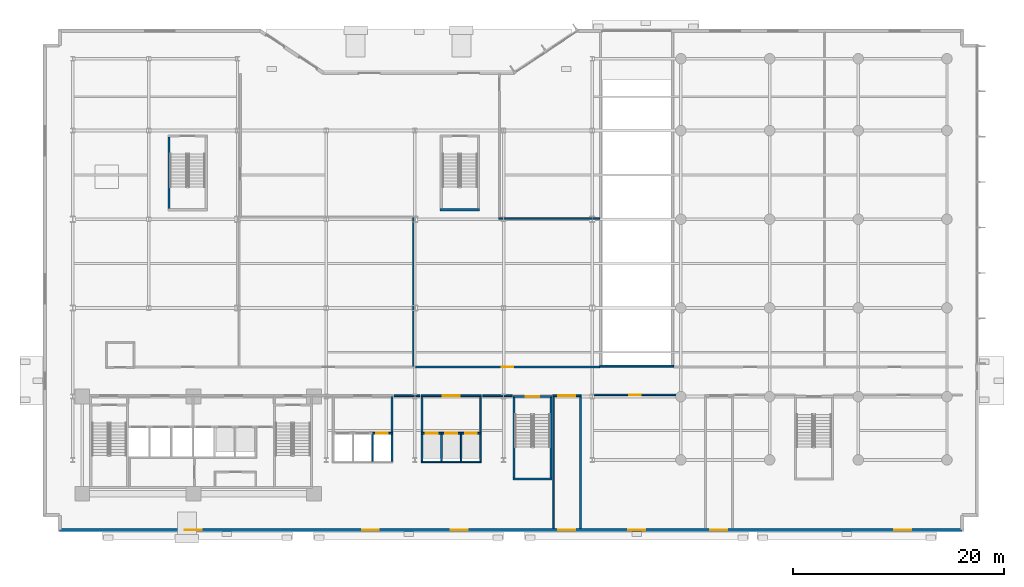
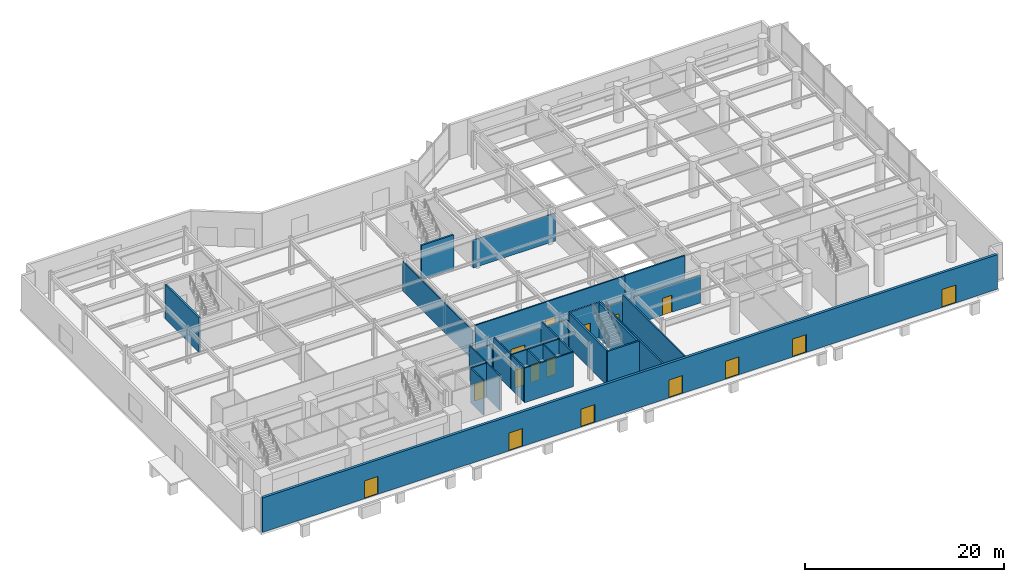
# One storey, part 15 of 26: 32 walls, 16 doors, 16 openings.
"""IFC4 building model written with IfcOpenShell, lengths in metres."""

from ifc_helpers import new_model, si_unit, direction, frame, frame_2d, origin, place, context, subcontext, project, spatial, rectangle, extrude, material, layer, layer_set, type_object, element, fill, save


model = new_model("IFC4")

# Units and contexts
model_context = context("Model", 3, precision=1e-05, world=origin(), true_north=direction((0.0, 1.0)))
body_context = subcontext(model_context, "Body", "Model", "MODEL_VIEW")
ifc_project = project(units=[si_unit("LENGTHUNIT", "METRE"), si_unit("AREAUNIT", "SQUARE_METRE"), si_unit("VOLUMEUNIT", "CUBIC_METRE"), si_unit("PLANEANGLEUNIT", "RADIAN"), si_unit("MASSUNIT", "GRAM", prefix="KILO")], contexts=[model_context])

# Site, building, storey
site_placement = place(None, origin())
site = spatial("IfcSite", under=ifc_project, at=site_placement, CompositionType="ELEMENT")
building_placement = place(site_placement, origin())
building = spatial("IfcBuilding", under=site, at=building_placement, Name="Varnakote Quay Hospital", CompositionType="ELEMENT")
storey_placement = place(building_placement, origin())
storey = spatial("IfcBuildingStorey", under=building, at=storey_placement, Name="L00", CompositionType="ELEMENT", Elevation=0.0)

# Walls
ifc_material_1 = material(Name="Fire-rated acoustic gypsum stud wall", Category="gypsum")
ifc_layer_1 = layer(ifc_material_1, 0.159912109375)
ifc_layer_set_1 = layer_set([ifc_layer_1], Name="Fire-rated acoustic gypsum stud wall")
wall_type_1 = type_object("IfcWallType", Name="WL-COMP-160", PredefinedType="PARTITIONING", material=ifc_layer_set_1)
for number, where, z_axis, x_axis, name in (
    (1, (46.719970703125, -0.47998046875, 0.0), (0.0, 0.0, 1.0), (0.0, 1.0, 0.0), "L00 Protected Exit Passage EX2 West Wall"),
    (2, (49.280029296875, -0.47998046875, 0.0), (0.0, 0.0, 1.0), (0.0, 1.0, 0.0), "L00 Protected Exit Passage EX2 East Wall"),
):
    element("IfcWall", number, at=place(storey_placement, frame(where, z_axis=z_axis, x_axis=x_axis)), inside=storey, type_object=wall_type_1, Name=name, PredefinedType="PARTITIONING", context=body_context, shape_type="SweptSolid", body=[
        extrude(rectangle(XDim=12.47998046875, YDim=0.159912109375, at=frame_2d((6.239990234375, 0.0))), origin(), (0.0, 0.0, 1.0), 4.25),
    ])

# Wall, opening, door
wall_1_placement = place(storey_placement, frame((46.659912109375, 12.080078125, 0.0), z_axis=(0.0, 0.0, 1.0), x_axis=(1.0, 0.0, 0.0)))
wall_1 = element("IfcWall", 3, at=wall_1_placement, inside=storey, type_object=wall_type_1, Name="L00 Protected Exit Passage EX2 Smoke Door Wall", PredefinedType="PARTITIONING", context=body_context, shape_type="SweptSolid", body=[
    extrude(rectangle(XDim=2.68017578125, YDim=0.159912109375, at=frame_2d((1.340087890625, 0.0))), origin(), (0.0, 0.0, 1.0), 3.425048828125),
])
opening_1_placement = place(wall_1_placement, frame((0.5400390625, 0.0, 0.0)))
opening_1 = element("IfcOpeningElement", 4, at=opening_1_placement, cuts=wall_1, Name="Opening D-EX2-L00", PredefinedType="OPENING", context=body_context, shape_type="SweptSolid", body=[
    extrude(rectangle(XDim=1.60009765625, YDim=2.050048828125, at=frame_2d((0.800048828125, 1.02490234375))), frame((0.0, 0.08984375, 0.0), z_axis=(0.0, -1.0, 0.0), x_axis=(1.0, 0.0, 0.0)), (0.0, 0.0, 1.0), 0.179931640625),
])
ifc_material_2 = material(Name="Fire-rated double smoke lobby door")
door_type_1 = type_object("IfcDoorType", Name="DR-LOBBY-FD60S-1600x2150", OperationType="NOTDEFINED", PredefinedType="DOOR", material=ifc_material_2)
door_1_placement = place(opening_1_placement, origin())
door_1 = element("IfcDoor", 5, at=door_1_placement, inside=storey, type_object=door_type_1, Name="L00 Protected Exit Passage EX2 Smoke Door", OperationType="DOUBLE_DOOR_SINGLE_SWING", OverallHeight=2.050048828125, OverallWidth=1.60009765625, PredefinedType="DOOR", context=body_context, shape_type="SweptSolid", body=[
    extrude(rectangle(XDim=1.60009765625, YDim=2.050048828125, at=frame_2d((0.800048828125, 1.02490234375))), frame((0.0, 0.02490234375, 0.0), z_axis=(0.0, -1.0, 0.0), x_axis=(1.0, 0.0, 0.0)), (0.0, 0.0, 1.0), 0.050048828125),
])
fill(opening_1, door_1)

# Walls
for number, where, z_axis, x_axis, name in (
    (6, (31.429931640625, 8.610107421875, 0.0), (0.0, 0.0, 1.0), (0.0, 1.0, 0.0), "L00 Low-Rise Lift Lobby East Wall"),
    (7, (34.27001953125, 8.610107421875, 0.0), (0.0, 0.0, 1.0), (0.0, 1.0, 0.0), "L00 Mid-Rise Lift Lobby West Wall"),
    (8, (39.830078125, 8.610107421875, 0.0), (0.0, 0.0, 1.0), (0.0, 1.0, 0.0), "L00 Mid-Rise Lift Lobby East Wall"),
):
    element("IfcWall", number, at=place(storey_placement, frame(where, z_axis=z_axis, x_axis=x_axis)), inside=storey, type_object=wall_type_1, Name=name, PredefinedType="PARTITIONING", context=body_context, shape_type="SweptSolid", body=[
        extrude(rectangle(XDim=3.389892578125, YDim=0.159912109375, at=frame_2d((1.69482421875, 0.0))), origin(), (0.0, 0.0, 1.0), 4.25),
    ])

# Wall, opening, door
wall_2_placement = place(storey_placement, frame((34.18994140625, 12.080078125, 0.0), z_axis=(0.0, 0.0, 1.0), x_axis=(1.0, 0.0, 0.0)))
wall_2 = element("IfcWall", 9, at=wall_2_placement, inside=storey, type_object=wall_type_1, Name="L00 Mid-Rise Lift Lobby North Wall", PredefinedType="PARTITIONING", context=body_context, shape_type="SweptSolid", body=[
    extrude(rectangle(XDim=5.719970703125, YDim=0.159912109375, at=frame_2d((2.85986328125, 0.0))), origin(), (0.0, 0.0, 1.0), 3.425048828125),
])
opening_2_placement = place(wall_2_placement, frame((2.06005859375, 0.0, 0.0)))
opening_2 = element("IfcOpeningElement", 10, at=opening_2_placement, cuts=wall_2, Name="Opening D-PML-L00", PredefinedType="OPENING", context=body_context, shape_type="SweptSolid", body=[
    extrude(rectangle(XDim=1.60009765625, YDim=2.050048828125, at=frame_2d((0.800048828125, 1.02490234375))), frame((0.0, 0.08984375, 0.0), z_axis=(0.0, -1.0, 0.0), x_axis=(1.0, 0.0, 0.0)), (0.0, 0.0, 1.0), 0.179931640625),
])
door_2_placement = place(opening_2_placement, origin())
door_2 = element("IfcDoor", 11, at=door_2_placement, inside=storey, type_object=door_type_1, Name="L00 Mid-Rise Passenger Concourse Vestibule Door", OperationType="DOUBLE_DOOR_SINGLE_SWING", OverallHeight=2.050048828125, OverallWidth=1.60009765625, PredefinedType="DOOR", context=body_context, shape_type="SweptSolid", body=[
    extrude(rectangle(XDim=1.60009765625, YDim=2.050048828125, at=frame_2d((0.800048828125, 1.02490234375))), frame((0.0, 0.02490234375, 0.0), z_axis=(0.0, -1.0, 0.0), x_axis=(1.0, 0.0, 0.0)), (0.0, 0.0, 1.0), 0.050048828125),
])
fill(opening_2, door_2)

# Walls
wall_3_placement = place(storey_placement, frame((31.6298828125, 12.080078125, 0.0), z_axis=(0.0, 0.0, 1.0), x_axis=(1.0, 0.0, 0.0)))
element("IfcWall", 12, at=wall_3_placement, inside=storey, type_object=wall_type_1, Name="L00 Corridor South Gap Wall", PredefinedType="PARTITIONING", context=body_context, shape_type="SweptSolid", body=[
    extrude(rectangle(XDim=2.440185546875, YDim=0.159912109375, at=frame_2d((1.22021484375, 0.0))), origin(), (0.0, 0.0, 1.0), 3.425048828125),
])
wall_4_placement = place(storey_placement, frame((40.030029296875, 12.080078125, 0.0), z_axis=(0.0, 0.0, 1.0), x_axis=(1.0, 0.0, 0.0)))
element("IfcWall", 13, at=wall_4_placement, inside=storey, type_object=wall_type_1, Name="L00 Corridor South Gap Wall", PredefinedType="PARTITIONING", context=body_context, shape_type="SweptSolid", body=[
    extrude(rectangle(XDim=2.78076171875, YDim=0.159912109375, at=frame_2d((1.390380859375, 0.0))), origin(), (0.0, 0.0, 1.0), 3.425048828125),
])
ifc_material_3 = material(Name="Fire-rated acoustic gypsum stud wall", Category="gypsum")
ifc_layer_2 = layer(ifc_material_3, 0.179931640625)
ifc_layer_set_2 = layer_set([ifc_layer_2], Name="Fire-rated acoustic gypsum stud wall")
wall_type_2 = type_object("IfcWallType", Name="WL-COMP-180", PredefinedType="PARTITIONING", material=ifc_layer_set_2)
wall_5_placement = place(storey_placement, frame((51.090087890625, 14.8798828125, 0.0), z_axis=(0.0, 0.0, 1.0), x_axis=(1.0, 0.0, 0.0)))
element("IfcWall", 14, at=wall_5_placement, inside=storey, type_object=wall_type_2, Name="L00 Vehicle Ramp Portal South Headwall", PredefinedType="PARTITIONING", context=body_context, shape_type="SweptSolid", body=[
    extrude(rectangle(XDim=7.02001953125, YDim=0.179931640625, at=frame_2d((3.510009765625, 0.0))), origin(), (0.0, 0.0, 1.0), 4.25),
])

# Wall, openings, doors
ifc_material_4 = material(Name="Precast concrete N50 (f'c 50 MPa)", Category="concrete")
ifc_layer_3 = layer(ifc_material_4, 0.300048828125)
ifc_layer_set_3 = layer_set([ifc_layer_3], Name="Precast concrete N50 (f'c 50 MPa)")
wall_type_3 = type_object("IfcWallType", Name="WL-EXT-BRICK-300", PredefinedType="STANDARD", material=ifc_layer_set_3)
wall_6_placement = place(storey_placement, frame((85.43994140625, -0.639892578125, 0.0), z_axis=(0.0, 0.0, 1.0), x_axis=(-1.0, 0.0, 0.0)))
wall_6 = element("IfcWall", 15, at=wall_6_placement, inside=storey, type_object=wall_type_3, Name="L00 Brick-Faced Precast Exterior Wall", PredefinedType="STANDARD", context=body_context, shape_type="SweptSolid", body=[
    extrude(rectangle(XDim=85.47998046875, YDim=0.300048828125, at=frame_2d((42.739990234375, 0.0))), origin(), (0.0, 0.0, 1.0), 4.25),
])
opening_3_placement = place(wall_6_placement, frame((72.0400390625, 0.0, 0.0)))
opening_3 = element("IfcOpeningElement", 16, at=opening_3_placement, cuts=wall_6, Name="Opening DE-L00-01", PredefinedType="OPENING", context=body_context, shape_type="SweptSolid", body=[
    extrude(rectangle(XDim=1.60009765625, YDim=2.199951171875, at=frame_2d((0.800048828125, 1.10009765625))), frame((0.0, 0.159912109375, 0.0), z_axis=(0.0, -1.0, 0.0), x_axis=(1.0, 0.0, 0.0)), (0.0, 0.0, 1.0), 0.320068359375),
])
opening_4_placement = place(wall_6_placement, frame((55.239990234375, 0.0, 0.0)))
opening_4 = element("IfcOpeningElement", 17, at=opening_4_placement, cuts=wall_6, Name="Opening DE-L00-02", PredefinedType="OPENING", context=body_context, shape_type="SweptSolid", body=[
    extrude(rectangle(XDim=1.60009765625, YDim=2.199951171875, at=frame_2d((0.800048828125, 1.10009765625))), frame((0.0, 0.159912109375, 0.0), z_axis=(0.0, -1.0, 0.0), x_axis=(1.0, 0.0, 0.0)), (0.0, 0.0, 1.0), 0.320068359375),
])
opening_5_placement = place(wall_6_placement, frame((46.840087890625, 0.0, 0.0)))
opening_5 = element("IfcOpeningElement", 18, at=opening_5_placement, cuts=wall_6, Name="Opening DE-L00-03", PredefinedType="OPENING", context=body_context, shape_type="SweptSolid", body=[
    extrude(rectangle(XDim=1.60009765625, YDim=2.199951171875, at=frame_2d((0.800048828125, 1.10009765625))), frame((0.0, 0.159912109375, 0.0), z_axis=(0.0, -1.0, 0.0), x_axis=(1.0, 0.0, 0.0)), (0.0, 0.0, 1.0), 0.320068359375),
])
opening_6_placement = place(wall_6_placement, frame((36.639892578125, 0.0, 0.0)))
opening_6 = element("IfcOpeningElement", 19, at=opening_6_placement, cuts=wall_6, Name="Opening DE-ST2-L00", PredefinedType="OPENING", context=body_context, shape_type="SweptSolid", body=[
    extrude(rectangle(XDim=1.60009765625, YDim=2.199951171875, at=frame_2d((0.800048828125, 1.10009765625))), frame((0.0, 0.159912109375, 0.0), z_axis=(0.0, -1.0, 0.0), x_axis=(1.0, 0.0, 0.0)), (0.0, 0.0, 1.0), 0.320068359375),
])
opening_7_placement = place(wall_6_placement, frame((30.0400390625, 0.0, 0.0)))
opening_7 = element("IfcOpeningElement", 20, at=opening_7_placement, cuts=wall_6, Name="Opening DE-L00-05", PredefinedType="OPENING", context=body_context, shape_type="SweptSolid", body=[
    extrude(rectangle(XDim=1.60009765625, YDim=2.199951171875, at=frame_2d((0.800048828125, 1.10009765625))), frame((0.0, 0.159912109375, 0.0), z_axis=(0.0, -1.0, 0.0), x_axis=(1.0, 0.0, 0.0)), (0.0, 0.0, 1.0), 0.320068359375),
])
opening_8_placement = place(wall_6_placement, frame((22.239990234375, 0.0, 0.0)))
opening_8 = element("IfcOpeningElement", 21, at=opening_8_placement, cuts=wall_6, Name="Opening DE-ST3-L00", PredefinedType="OPENING", context=body_context, shape_type="SweptSolid", body=[
    extrude(rectangle(XDim=1.60009765625, YDim=2.199951171875, at=frame_2d((0.800048828125, 1.10009765625))), frame((0.0, 0.159912109375, 0.0), z_axis=(0.0, -1.0, 0.0), x_axis=(1.0, 0.0, 0.0)), (0.0, 0.0, 1.0), 0.320068359375),
])
opening_9_placement = place(wall_6_placement, frame((4.840087890625, 0.0, 0.0)))
opening_9 = element("IfcOpeningElement", 22, at=opening_9_placement, cuts=wall_6, Name="Opening DE-L00-07", PredefinedType="OPENING", context=body_context, shape_type="SweptSolid", body=[
    extrude(rectangle(XDim=1.60009765625, YDim=2.199951171875, at=frame_2d((0.800048828125, 1.10009765625))), frame((0.0, 0.159912109375, 0.0), z_axis=(0.0, -1.0, 0.0), x_axis=(1.0, 0.0, 0.0)), (0.0, 0.0, 1.0), 0.320068359375),
])
ifc_material_5 = material(Name="Galvanised steel acoustic exit door", Category="steel")
door_type_2 = type_object("IfcDoorType", Name="DR-EXT-EXIT-1600x2200", OperationType="NOTDEFINED", PredefinedType="DOOR", material=ifc_material_5)
door_3_placement = place(opening_3_placement, origin())
door_3 = element("IfcDoor", 23, at=door_3_placement, inside=storey, type_object=door_type_2, Name="L00 Street & Waterfront Pedestrian Final Exit Door", OperationType="DOUBLE_DOOR_SINGLE_SWING", OverallHeight=2.199951171875, OverallWidth=1.60009765625, PredefinedType="DOOR", context=body_context, shape_type="SweptSolid", body=[
    extrude(rectangle(XDim=1.60009765625, YDim=2.199951171875, at=frame_2d((0.800048828125, 1.10009765625))), frame((0.0, 0.02490234375, 0.0), z_axis=(0.0, -1.0, 0.0), x_axis=(1.0, 0.0, 0.0)), (0.0, 0.0, 1.0), 0.050048828125),
])
fill(opening_3, door_3)
door_4_placement = place(opening_4_placement, origin())
door_4 = element("IfcDoor", 24, at=door_4_placement, inside=storey, type_object=door_type_2, Name="L00 Street & Waterfront Pedestrian Final Exit Door", OperationType="DOUBLE_DOOR_SINGLE_SWING", OverallHeight=2.199951171875, OverallWidth=1.60009765625, PredefinedType="DOOR", context=body_context, shape_type="SweptSolid", body=[
    extrude(rectangle(XDim=1.60009765625, YDim=2.199951171875, at=frame_2d((0.800048828125, 1.10009765625))), frame((0.0, 0.02490234375, 0.0), z_axis=(0.0, -1.0, 0.0), x_axis=(1.0, 0.0, 0.0)), (0.0, 0.0, 1.0), 0.050048828125),
])
fill(opening_4, door_4)
door_5_placement = place(opening_5_placement, origin())
door_5 = element("IfcDoor", 25, at=door_5_placement, inside=storey, type_object=door_type_2, Name="L00 Street & Waterfront Pedestrian Final Exit Door", OperationType="DOUBLE_DOOR_SINGLE_SWING", OverallHeight=2.199951171875, OverallWidth=1.60009765625, PredefinedType="DOOR", context=body_context, shape_type="SweptSolid", body=[
    extrude(rectangle(XDim=1.60009765625, YDim=2.199951171875, at=frame_2d((0.800048828125, 1.10009765625))), frame((0.0, 0.02490234375, 0.0), z_axis=(0.0, -1.0, 0.0), x_axis=(1.0, 0.0, 0.0)), (0.0, 0.0, 1.0), 0.050048828125),
])
fill(opening_5, door_5)
door_6_placement = place(opening_6_placement, origin())
door_6 = element("IfcDoor", 26, at=door_6_placement, inside=storey, type_object=door_type_2, Name="L00 Street & Waterfront Pedestrian Final Exit Door", OperationType="DOUBLE_DOOR_SINGLE_SWING", OverallHeight=2.199951171875, OverallWidth=1.60009765625, PredefinedType="DOOR", context=body_context, shape_type="SweptSolid", body=[
    extrude(rectangle(XDim=1.60009765625, YDim=2.199951171875, at=frame_2d((0.800048828125, 1.10009765625))), frame((0.0, 0.02490234375, 0.0), z_axis=(0.0, -1.0, 0.0), x_axis=(1.0, 0.0, 0.0)), (0.0, 0.0, 1.0), 0.050048828125),
])
fill(opening_6, door_6)
door_7_placement = place(opening_7_placement, origin())
door_7 = element("IfcDoor", 27, at=door_7_placement, inside=storey, type_object=door_type_2, Name="L00 Street & Waterfront Pedestrian Final Exit Door", OperationType="DOUBLE_DOOR_SINGLE_SWING", OverallHeight=2.199951171875, OverallWidth=1.60009765625, PredefinedType="DOOR", context=body_context, shape_type="SweptSolid", body=[
    extrude(rectangle(XDim=1.60009765625, YDim=2.199951171875, at=frame_2d((0.800048828125, 1.10009765625))), frame((0.0, 0.02490234375, 0.0), z_axis=(0.0, -1.0, 0.0), x_axis=(1.0, 0.0, 0.0)), (0.0, 0.0, 1.0), 0.050048828125),
])
fill(opening_7, door_7)
door_8_placement = place(opening_8_placement, origin())
door_8 = element("IfcDoor", 28, at=door_8_placement, inside=storey, type_object=door_type_2, Name="L00 Street & Waterfront Pedestrian Final Exit Door", OperationType="DOUBLE_DOOR_SINGLE_SWING", OverallHeight=2.199951171875, OverallWidth=1.60009765625, PredefinedType="DOOR", context=body_context, shape_type="SweptSolid", body=[
    extrude(rectangle(XDim=1.60009765625, YDim=2.199951171875, at=frame_2d((0.800048828125, 1.10009765625))), frame((0.0, 0.02490234375, 0.0), z_axis=(0.0, -1.0, 0.0), x_axis=(1.0, 0.0, 0.0)), (0.0, 0.0, 1.0), 0.050048828125),
])
fill(opening_8, door_8)
door_9_placement = place(opening_9_placement, origin())
door_9 = element("IfcDoor", 29, at=door_9_placement, inside=storey, type_object=door_type_2, Name="L00 Street & Waterfront Pedestrian Final Exit Door", OperationType="DOUBLE_DOOR_SINGLE_SWING", OverallHeight=2.199951171875, OverallWidth=1.60009765625, PredefinedType="DOOR", context=body_context, shape_type="SweptSolid", body=[
    extrude(rectangle(XDim=1.60009765625, YDim=2.199951171875, at=frame_2d((0.800048828125, 1.10009765625))), frame((0.0, 0.02490234375, 0.0), z_axis=(0.0, -1.0, 0.0), x_axis=(1.0, 0.0, 0.0)), (0.0, 0.0, 1.0), 0.050048828125),
])
fill(opening_9, door_9)

# Walls
ifc_material_6 = material(Name="Concrete N50 (f'c 50 MPa)", Category="concrete")
ifc_layer_4 = layer(ifc_material_6, 0.14990234375)
ifc_layer_set_4 = layer_set([ifc_layer_4], Name="Concrete N50 (f'c 50 MPa)")
wall_type_4 = type_object("IfcWallType", Name="WL-SHAFT-N50-150", PredefinedType="SHEAR", material=ifc_layer_set_4)
for number, where, z_axis, x_axis, name in (
    (30, (29.574951171875, 5.89990234375, 0.0), (0.0, 0.0, 1.0), (0.0, 1.0, 0.0), "L00 LF-PL2 Hoistway Divider Wall"),
    (31, (36.125, 5.89990234375, 0.0), (0.0, 0.0, 1.0), (0.0, 1.0, 0.0), "L00 LF-PM1 Hoistway Divider Wall"),
    (32, (37.97509765625, 5.89990234375, 0.0), (0.0, 0.0, 1.0), (0.0, 1.0, 0.0), "L00 LF-PM2 Hoistway Divider Wall"),
):
    element("IfcWall", number, at=place(storey_placement, frame(where, z_axis=z_axis, x_axis=x_axis)), inside=storey, type_object=wall_type_4, Name=name, PredefinedType="SHEAR", context=body_context, shape_type="SweptSolid", body=[
        extrude(rectangle(XDim=2.550048828125, YDim=0.14990234375, at=frame_2d((1.27490234375, 0.0))), origin(), (0.0, 0.0, 1.0), 4.25),
    ])
ifc_material_7 = material(Name="Concrete N50 (f'c 50 MPa)", Category="concrete")
ifc_layer_5 = layer(ifc_material_7, 0.159912109375)
ifc_layer_set_5 = layer_set([ifc_layer_5], Name="Concrete N50 (f'c 50 MPa)")
wall_type_5 = type_object("IfcWallType", Name="WL-SHAFT-N50-160", PredefinedType="SHEAR", material=ifc_layer_set_5)
wall_7_placement = place(storey_placement, frame((31.429931640625, 5.89990234375, 0.0), z_axis=(0.0, 0.0, 1.0), x_axis=(0.0, 1.0, 0.0)))
element("IfcWall", 33, at=wall_7_placement, inside=storey, type_object=wall_type_5, Name="L00 LOW Lift Bank East Shear Wall", PredefinedType="SHEAR", context=body_context, shape_type="SweptSolid", body=[
    extrude(rectangle(XDim=2.550048828125, YDim=0.159912109375, at=frame_2d((1.27490234375, 0.0))), origin(), (0.0, 0.0, 1.0), 4.25),
])

# Wall, opening, door
wall_8_placement = place(storey_placement, frame((29.574951171875, 8.530029296875, 0.0), z_axis=(0.0, 0.0, 1.0), x_axis=(1.0, 0.0, 0.0)))
wall_8 = element("IfcWall", 34, at=wall_8_placement, inside=storey, type_object=wall_type_5, Name="L00 LF-PL3 Hoistway Front Wall", PredefinedType="SHEAR", context=body_context, shape_type="SweptSolid", body=[
    extrude(rectangle(XDim=1.93505859375, YDim=0.159912109375, at=frame_2d((0.967529296875, 0.0))), origin(), (0.0, 0.0, 1.0), 4.25),
])
opening_10_placement = place(wall_8_placement, frame((0.375, 0.0, 0.0)))
opening_10 = element("IfcOpeningElement", 35, at=opening_10_placement, cuts=wall_8, Name="Opening LD-PL3-L00", PredefinedType="OPENING", context=body_context, shape_type="SweptSolid", body=[
    extrude(rectangle(XDim=1.10009765625, YDim=2.14990234375, at=frame_2d((0.550048828125, 1.074951171875))), frame((0.0, 0.08984375, 0.0), z_axis=(0.0, -1.0, 0.0), x_axis=(1.0, 0.0, 0.0)), (0.0, 0.0, 1.0), 0.179931640625),
])
ifc_material_8 = material(Name="Brushed bronze lift landing sliding door")
door_type_3 = type_object("IfcDoorType", Name="DR-LIFT-LD-1100x2150", OperationType="NOTDEFINED", PredefinedType="DOOR", material=ifc_material_8)
door_10_placement = place(opening_10_placement, origin())
door_10 = element("IfcDoor", 36, at=door_10_placement, inside=storey, type_object=door_type_3, Name="L00 LF-PL3 Lift Landing Sliding Door", OperationType="SLIDING_TO_LEFT", OverallHeight=2.14990234375, OverallWidth=1.10009765625, PredefinedType="DOOR", context=body_context, shape_type="SweptSolid", body=[
    extrude(rectangle(XDim=1.10009765625, YDim=2.14990234375, at=frame_2d((0.550048828125, 1.074951171875))), frame((0.0, 0.02490234375, 0.0), z_axis=(0.0, -1.0, 0.0), x_axis=(1.0, 0.0, 0.0)), (0.0, 0.0, 1.0), 0.050048828125),
])
fill(opening_10, door_10)

# Walls
wall_9_placement = place(storey_placement, frame((34.18994140625, 5.820068359375, 0.0), z_axis=(0.0, 0.0, 1.0), x_axis=(1.0, 0.0, 0.0)))
element("IfcWall", 37, at=wall_9_placement, inside=storey, type_object=wall_type_5, Name="L00 MID Lift Bank Back Shear Wall", PredefinedType="SHEAR", context=body_context, shape_type="SweptSolid", body=[
    extrude(rectangle(XDim=5.719970703125, YDim=0.159912109375, at=frame_2d((2.85986328125, 0.0))), origin(), (0.0, 0.0, 1.0), 4.25),
])
for number, where, z_axis, x_axis, name in (
    (38, (34.27001953125, 5.89990234375, 0.0), (0.0, 0.0, 1.0), (0.0, 1.0, 0.0), "L00 MID Lift Bank West Shear Wall"),
    (39, (39.830078125, 5.89990234375, 0.0), (0.0, 0.0, 1.0), (0.0, 1.0, 0.0), "L00 MID Lift Bank East Shear Wall"),
):
    element("IfcWall", number, at=place(storey_placement, frame(where, z_axis=z_axis, x_axis=x_axis)), inside=storey, type_object=wall_type_5, Name=name, PredefinedType="SHEAR", context=body_context, shape_type="SweptSolid", body=[
        extrude(rectangle(XDim=2.550048828125, YDim=0.159912109375, at=frame_2d((1.27490234375, 0.0))), origin(), (0.0, 0.0, 1.0), 4.25),
    ])

# Wall, opening, door
wall_10_placement = place(storey_placement, frame((34.18994140625, 8.530029296875, 0.0), z_axis=(0.0, 0.0, 1.0), x_axis=(1.0, 0.0, 0.0)))
wall_10 = element("IfcWall", 40, at=wall_10_placement, inside=storey, type_object=wall_type_5, Name="L00 LF-PM1 Hoistway Front Wall", PredefinedType="SHEAR", context=body_context, shape_type="SweptSolid", body=[
    extrude(rectangle(XDim=1.93505859375, YDim=0.159912109375, at=frame_2d((0.967529296875, 0.0))), origin(), (0.0, 0.0, 1.0), 4.25),
])
opening_11_placement = place(wall_10_placement, frame((0.4599609375, 0.0, 0.0)))
opening_11 = element("IfcOpeningElement", 41, at=opening_11_placement, cuts=wall_10, Name="Opening LD-PM1-L00", PredefinedType="OPENING", context=body_context, shape_type="SweptSolid", body=[
    extrude(rectangle(XDim=1.10009765625, YDim=2.14990234375, at=frame_2d((0.550048828125, 1.074951171875))), frame((0.0, 0.08984375, 0.0), z_axis=(0.0, -1.0, 0.0), x_axis=(1.0, 0.0, 0.0)), (0.0, 0.0, 1.0), 0.179931640625),
])
door_11_placement = place(opening_11_placement, origin())
door_11 = element("IfcDoor", 42, at=door_11_placement, inside=storey, type_object=door_type_3, Name="L00 LF-PM1 Lift Landing Sliding Door", OperationType="SLIDING_TO_LEFT", OverallHeight=2.14990234375, OverallWidth=1.10009765625, PredefinedType="DOOR", context=body_context, shape_type="SweptSolid", body=[
    extrude(rectangle(XDim=1.10009765625, YDim=2.14990234375, at=frame_2d((0.550048828125, 1.074951171875))), frame((0.0, 0.02490234375, 0.0), z_axis=(0.0, -1.0, 0.0), x_axis=(1.0, 0.0, 0.0)), (0.0, 0.0, 1.0), 0.050048828125),
])
fill(opening_11, door_11)

wall_11_placement = place(storey_placement, frame((36.125, 8.530029296875, 0.0), z_axis=(0.0, 0.0, 1.0), x_axis=(1.0, 0.0, 0.0)))
wall_11 = element("IfcWall", 43, at=wall_11_placement, inside=storey, type_object=wall_type_5, Name="L00 LF-PM2 Hoistway Front Wall", PredefinedType="SHEAR", context=body_context, shape_type="SweptSolid", body=[
    extrude(rectangle(XDim=1.85009765625, YDim=0.159912109375, at=frame_2d((0.925048828125, 0.0))), origin(), (0.0, 0.0, 1.0), 4.25),
])
opening_12_placement = place(wall_11_placement, frame((0.375, 0.0, 0.0)))
opening_12 = element("IfcOpeningElement", 44, at=opening_12_placement, cuts=wall_11, Name="Opening LD-PM2-L00", PredefinedType="OPENING", context=body_context, shape_type="SweptSolid", body=[
    extrude(rectangle(XDim=1.10009765625, YDim=2.14990234375, at=frame_2d((0.550048828125, 1.074951171875))), frame((0.0, 0.08984375, 0.0), z_axis=(0.0, -1.0, 0.0), x_axis=(1.0, 0.0, 0.0)), (0.0, 0.0, 1.0), 0.179931640625),
])
door_12_placement = place(opening_12_placement, origin())
door_12 = element("IfcDoor", 45, at=door_12_placement, inside=storey, type_object=door_type_3, Name="L00 LF-PM2 Lift Landing Sliding Door", OperationType="SLIDING_TO_LEFT", OverallHeight=2.14990234375, OverallWidth=1.10009765625, PredefinedType="DOOR", context=body_context, shape_type="SweptSolid", body=[
    extrude(rectangle(XDim=1.10009765625, YDim=2.14990234375, at=frame_2d((0.550048828125, 1.074951171875))), frame((0.0, 0.02490234375, 0.0), z_axis=(0.0, -1.0, 0.0), x_axis=(1.0, 0.0, 0.0)), (0.0, 0.0, 1.0), 0.050048828125),
])
fill(opening_12, door_12)

wall_12_placement = place(storey_placement, frame((37.97509765625, 8.530029296875, 0.0), z_axis=(0.0, 0.0, 1.0), x_axis=(1.0, 0.0, 0.0)))
wall_12 = element("IfcWall", 46, at=wall_12_placement, inside=storey, type_object=wall_type_5, Name="L00 LF-PM3 Hoistway Front Wall", PredefinedType="SHEAR", context=body_context, shape_type="SweptSolid", body=[
    extrude(rectangle(XDim=1.934814453125, YDim=0.159912109375, at=frame_2d((0.96728515625, 0.0))), origin(), (0.0, 0.0, 1.0), 4.25),
])
opening_13_placement = place(wall_12_placement, frame((0.375, 0.0, 0.0)))
opening_13 = element("IfcOpeningElement", 47, at=opening_13_placement, cuts=wall_12, Name="Opening LD-PM3-L00", PredefinedType="OPENING", context=body_context, shape_type="SweptSolid", body=[
    extrude(rectangle(XDim=1.10009765625, YDim=2.14990234375, at=frame_2d((0.550048828125, 1.074951171875))), frame((0.0, 0.08984375, 0.0), z_axis=(0.0, -1.0, 0.0), x_axis=(1.0, 0.0, 0.0)), (0.0, 0.0, 1.0), 0.179931640625),
])
door_13_placement = place(opening_13_placement, origin())
door_13 = element("IfcDoor", 48, at=door_13_placement, inside=storey, type_object=door_type_3, Name="L00 LF-PM3 Lift Landing Sliding Door", OperationType="SLIDING_TO_LEFT", OverallHeight=2.14990234375, OverallWidth=1.10009765625, PredefinedType="DOOR", context=body_context, shape_type="SweptSolid", body=[
    extrude(rectangle(XDim=1.10009765625, YDim=2.14990234375, at=frame_2d((0.550048828125, 1.074951171875))), frame((0.0, 0.02490234375, 0.0), z_axis=(0.0, -1.0, 0.0), x_axis=(1.0, 0.0, 0.0)), (0.0, 0.0, 1.0), 0.050048828125),
])
fill(opening_13, door_13)

# Walls
ifc_material_9 = material(Name="Concrete N50 (f'c 50 MPa)", Category="concrete")
ifc_layer_6 = layer(ifc_material_9, 0.199951171875)
ifc_layer_set_6 = layer_set([ifc_layer_6], Name="Concrete N50 (f'c 50 MPa)")
wall_type_6 = type_object("IfcWallType", Name="WL-SHAFT-N50-200", PredefinedType="SHEAR", material=ifc_layer_set_6)
wall_13_placement = place(storey_placement, frame((42.89990234375, 4.199951171875, 0.0), z_axis=(0.0, 0.0, 1.0), x_axis=(1.0, 0.0, 0.0)))
element("IfcWall", 49, at=wall_13_placement, inside=storey, type_object=wall_type_6, Name="L00 Stair ST3 South Shaft Wall", PredefinedType="SHEAR", context=body_context, shape_type="SweptSolid", body=[
    extrude(rectangle(XDim=3.7001953125, YDim=0.199951171875, at=frame_2d((1.85009765625, 0.0))), origin(), (0.0, 0.0, 1.0), 4.25),
])
for number, where, z_axis, x_axis, name in (
    (50, (43.0, 4.300048828125, 0.0), (0.0, 0.0, 1.0), (0.0, 1.0, 0.0), "L00 Stair ST3 West Shaft Wall"),
    (51, (46.5, 4.300048828125, 0.0), (0.0, 0.0, 1.0), (0.0, 1.0, 0.0), "L00 Stair ST3 East Shaft Wall"),
):
    element("IfcWall", number, at=place(storey_placement, frame(where, z_axis=z_axis, x_axis=x_axis)), inside=storey, type_object=wall_type_6, Name=name, PredefinedType="SHEAR", context=body_context, shape_type="SweptSolid", body=[
        extrude(rectangle(XDim=7.599853515625, YDim=0.199951171875, at=frame_2d((3.7998046875, 0.0))), origin(), (0.0, 0.0, 1.0), 4.25),
    ])

# Wall, opening, door
wall_14_placement = place(storey_placement, frame((42.89990234375, 12.0, 0.0), z_axis=(0.0, 0.0, 1.0), x_axis=(1.0, 0.0, 0.0)))
wall_14 = element("IfcWall", 52, at=wall_14_placement, inside=storey, type_object=wall_type_6, Name="L00 Stair ST3 Exit Wall", PredefinedType="SHEAR", context=body_context, shape_type="SweptSolid", body=[
    extrude(rectangle(XDim=3.7001953125, YDim=0.199951171875, at=frame_2d((1.85009765625, 0.0))), origin(), (0.0, 0.0, 1.0), 4.25),
])
opening_14_placement = place(wall_14_placement, frame((1.199951171875, 0.0, 0.0)))
opening_14 = element("IfcOpeningElement", 53, at=opening_14_placement, cuts=wall_14, Name="Opening D-ST3-L00", PredefinedType="OPENING", context=body_context, shape_type="SweptSolid", body=[
    extrude(rectangle(XDim=1.300048828125, YDim=2.14990234375, at=frame_2d((0.64990234375, 1.074951171875))), frame((0.0, 0.10986328125, 0.0), z_axis=(0.0, -1.0, 0.0), x_axis=(1.0, 0.0, 0.0)), (0.0, 0.0, 1.0), 0.219970703125),
])
ifc_material_10 = material(Name="Fire-rated ceramic-glazed timber exit door", Category="wood")
door_type_4 = type_object("IfcDoorType", Name="DR-STAIR-FD60S-1300x2150", OperationType="NOTDEFINED", PredefinedType="DOOR", material=ifc_material_10)
door_14_placement = place(opening_14_placement, origin())
door_14 = element("IfcDoor", 54, at=door_14_placement, inside=storey, type_object=door_type_4, Name="L00 Stair ST3 Fire Exit Door", OperationType="SINGLE_SWING_LEFT", OverallHeight=2.14990234375, OverallWidth=1.300048828125, PredefinedType="DOOR", context=body_context, shape_type="SweptSolid", body=[
    extrude(rectangle(XDim=1.300048828125, YDim=2.14990234375, at=frame_2d((0.64990234375, 1.074951171875))), frame((0.0, 0.02490234375, 0.0), z_axis=(0.0, -1.0, 0.0), x_axis=(1.0, 0.0, 0.0)), (0.0, 0.0, 1.0), 0.050048828125),
])
fill(opening_14, door_14)

# Walls
wall_15_placement = place(storey_placement, frame((10.300048828125, 29.800048828125, 0.0), z_axis=(0.0, 0.0, 1.0), x_axis=(0.0, 1.0, 0.0)))
element("IfcWall", 55, at=wall_15_placement, inside=storey, type_object=wall_type_6, Name="L00 Stair ST4 West Shaft Wall", PredefinedType="SHEAR", context=body_context, shape_type="SweptSolid", body=[
    extrude(rectangle(XDim=6.800048828125, YDim=0.199951171875, at=frame_2d((3.39990234375, 0.0))), origin(), (0.0, 0.0, 1.0), 4.25),
])
wall_16_placement = place(storey_placement, frame((36.0, 29.699951171875, 0.0), z_axis=(0.0, 0.0, 1.0), x_axis=(1.0, 0.0, 0.0)))
element("IfcWall", 56, at=wall_16_placement, inside=storey, type_object=wall_type_6, Name="L00 Stair ST5 South Shaft Wall", PredefinedType="SHEAR", context=body_context, shape_type="SweptSolid", body=[
    extrude(rectangle(XDim=3.739990234375, YDim=0.199951171875, at=frame_2d((1.8701171875, 0.0))), origin(), (0.0, 0.0, 1.0), 4.25),
])
ifc_material_11 = material(Name="Smoke-proof clinical partition", Category="gypsum")
ifc_layer_7 = layer(ifc_material_11, 0.135009765625)
ifc_layer_set_7 = layer_set([ifc_layer_7], Name="Smoke-proof clinical partition")
wall_type_7 = type_object("IfcWallType", Name="WL-SMOKE-135", PredefinedType="PARTITIONING", material=ifc_layer_set_7)
wall_17_placement = place(storey_placement, frame((33.449951171875, 14.864990234375, 0.0), z_axis=(0.0, 0.0, 1.0), x_axis=(0.0, 1.0, 0.0)))
element("IfcWall", 57, at=wall_17_placement, inside=storey, type_object=wall_type_7, Name="L00 Clinical Interior Partition", PredefinedType="PARTITIONING", context=body_context, shape_type="SweptSolid", body=[
    extrude(rectangle(XDim=14.077392578125, YDim=0.135009765625, at=frame_2d((7.03857421875, 0.0))), origin(), (0.0, 0.0, 1.0), 3.623046875),
])
wall_18_placement = place(storey_placement, frame((51.10009765625, 28.8798828125, 0.0), z_axis=(0.0, 0.0, 1.0), x_axis=(-1.0, 0.0, 0.0)))
element("IfcWall", 58, at=wall_18_placement, inside=storey, type_object=wall_type_7, Name="L00 Clinical Interior Partition", PredefinedType="PARTITIONING", context=body_context, shape_type="SweptSolid", body=[
    extrude(rectangle(XDim=9.5576171875, YDim=0.135009765625, at=frame_2d((4.77880859375, 0.0))), origin(), (0.0, 0.0, 1.0), 3.425048828125),
])

# Wall, opening, door
ifc_material_12 = material(Name="Fire-rated clinical gypsum partition", Category="gypsum")
ifc_layer_8 = layer(ifc_material_12, 0.14990234375)
ifc_layer_set_8 = layer_set([ifc_layer_8], Name="Fire-rated clinical gypsum partition")
wall_type_8 = type_object("IfcWallType", Name="WL-WARD-150", PredefinedType="PARTITIONING", material=ifc_layer_set_8)
wall_19_placement = place(storey_placement, frame((50.60009765625, 12.159912109375, 0.0), z_axis=(0.0, 0.0, 1.0), x_axis=(1.0, 0.0, 0.0)))
wall_19 = element("IfcWall", 59, at=wall_19_placement, inside=storey, type_object=wall_type_8, Name="L00 Clinical Interior Partition", PredefinedType="PARTITIONING", context=body_context, shape_type="SweptSolid", body=[
    extrude(rectangle(XDim=7.699951171875, YDim=0.14990234375, at=frame_2d((3.85009765625, 0.0))), origin(), (0.0, 0.0, 1.0), 3.425048828125),
])
opening_15_placement = place(wall_19_placement, frame((3.300048828125, 0.0, 0.0)))
opening_15 = element("IfcOpeningElement", 60, at=opening_15_placement, cuts=wall_19, Name="Opening D-L00-FCR", PredefinedType="OPENING", context=body_context, shape_type="SweptSolid", body=[
    extrude(rectangle(XDim=1.10009765625, YDim=2.10009765625, at=frame_2d((0.550048828125, 1.050048828125))), frame((0.0, 0.0849609375, 0.0), z_axis=(0.0, -1.0, 0.0), x_axis=(1.0, 0.0, 0.0)), (0.0, 0.0, 1.0), 0.169921875),
])
ifc_material_13 = material(Name="Acoustic timber clinical consult door", Category="wood")
door_type_5 = type_object("IfcDoorType", Name="DR-CLIN-FD30S-1100x2100", OperationType="NOTDEFINED", PredefinedType="DOOR", material=ifc_material_13)
door_15_placement = place(opening_15_placement, origin())
door_15 = element("IfcDoor", 61, at=door_15_placement, inside=storey, type_object=door_type_5, Name="L00 Fire Control Room Door", OperationType="SINGLE_SWING_LEFT", OverallHeight=2.10009765625, OverallWidth=1.10009765625, PredefinedType="DOOR", context=body_context, shape_type="SweptSolid", body=[
    extrude(rectangle(XDim=1.10009765625, YDim=2.10009765625, at=frame_2d((0.550048828125, 1.050048828125))), frame((0.0, 0.02490234375, 0.0), z_axis=(0.0, -1.0, 0.0), x_axis=(1.0, 0.0, 0.0)), (0.0, 0.0, 1.0), 0.050048828125),
])
fill(opening_15, door_15)

wall_20_placement = place(storey_placement, frame((51.087890625, 14.800048828125, 0.0), z_axis=(0.0, 0.0, 1.0), x_axis=(-1.0, 0.0, 0.0)))
wall_20 = element("IfcWall", 62, at=wall_20_placement, inside=storey, type_object=wall_type_8, Name="L00 Clinical Interior Partition", PredefinedType="PARTITIONING", context=body_context, shape_type="SweptSolid", body=[
    extrude(rectangle(XDim=17.41796875, YDim=0.14990234375, at=frame_2d((8.708984375, 0.0))), origin(), (0.0, 0.0, 1.0), 4.25),
])
opening_16_placement = place(wall_20_placement, frame((8.1591796875, 0.0, 0.0)))
opening_16 = element("IfcOpeningElement", 63, at=opening_16_placement, cuts=wall_20, Name="Opening D-L00-PHRM", PredefinedType="OPENING", context=body_context, shape_type="SweptSolid", body=[
    extrude(rectangle(XDim=1.10009765625, YDim=2.10009765625, at=frame_2d((0.550048828125, 1.050048828125))), frame((0.0, 0.0849609375, 0.0), z_axis=(0.0, -1.0, 0.0), x_axis=(1.0, 0.0, 0.0)), (0.0, 0.0, 1.0), 0.169921875),
])
door_16_placement = place(opening_16_placement, origin())
door_16 = element("IfcDoor", 64, at=door_16_placement, inside=storey, type_object=door_type_5, Name="L00 Outpatient Clinical Pharmacy Retail Door", OperationType="SINGLE_SWING_RIGHT", OverallHeight=2.10009765625, OverallWidth=1.10009765625, PredefinedType="DOOR", context=body_context, shape_type="SweptSolid", body=[
    extrude(rectangle(XDim=1.10009765625, YDim=2.10009765625, at=frame_2d((0.550048828125, 1.050048828125))), frame((0.0, 0.02490234375, 0.0), z_axis=(0.0, -1.0, 0.0), x_axis=(1.0, 0.0, 0.0)), (0.0, 0.0, 1.0), 0.050048828125),
])
fill(opening_16, door_16)

save(model, "model.ifc")
